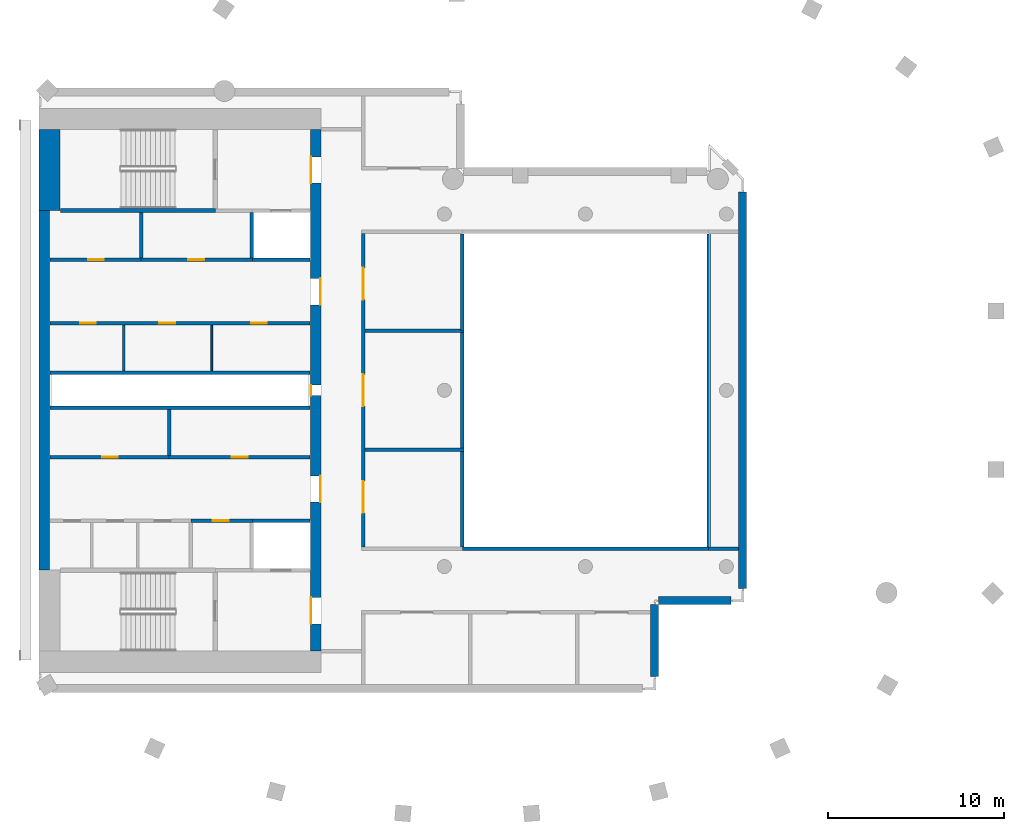
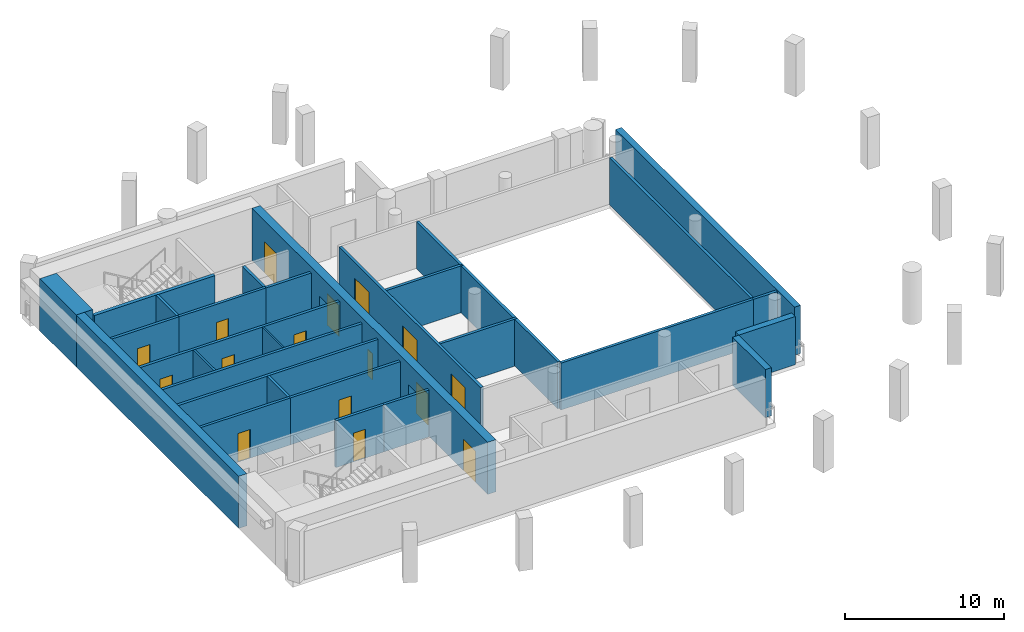
# One storey, part 2 of 9: 31 walls, 16 doors, 16 openings.
"""IFC4 building model written with IfcOpenShell, lengths in metres."""

from ifc_helpers import new_model, si_unit, direction, frame, frame_2d, origin, place, context, subcontext, project, spatial, rectangle, extrude, material, layer, layer_set, type_object, element, fill, save


model = new_model("IFC4")

# Units and contexts
model_context = context("Model", 3, precision=1e-05, world=origin(), true_north=direction((0.0, 1.0)))
body_context = subcontext(model_context, "Body", "Model", "MODEL_VIEW")
ifc_project = project(units=[si_unit("LENGTHUNIT", "METRE"), si_unit("AREAUNIT", "SQUARE_METRE"), si_unit("VOLUMEUNIT", "CUBIC_METRE"), si_unit("PLANEANGLEUNIT", "RADIAN"), si_unit("MASSUNIT", "GRAM", prefix="KILO")], contexts=[model_context])

# Site, building, storey
site_placement = place(None, origin())
site = spatial("IfcSite", under=ifc_project, at=site_placement, CompositionType="ELEMENT")
building_placement = place(site_placement, origin())
building = spatial("IfcBuilding", under=site, at=building_placement, Name="Cypress Arch Tower", CompositionType="ELEMENT")
storey_placement = place(building_placement, frame((0.0, 0.0, 335.0)))
storey = spatial("IfcBuildingStorey", under=building, at=storey_placement, Name="L76", CompositionType="ELEMENT", Elevation=335.0)

# Walls
ifc_material_1 = material(Name="Brick (red buff blend)", Category="masonry")
ifc_layer_1 = layer(ifc_material_1, 0.449951171875)
ifc_layer_set_1 = layer_set([ifc_layer_1], Name="Brick belt wall BW450-B")
wall_type_1 = type_object("IfcWallType", Name="Brick belt wall BW450-B", PredefinedType="SOLIDWALL", material=ifc_layer_set_1)
for number, where, z_axis, x_axis, name in (
    (1, (4.925048828125, -16.25, 0.0), (0.0, 0.0, 1.0), (0.0, 1.0, 0.0), "Brick wall L76 Kh01.0"),
    (2, (5.14990234375, -11.925048828125, 0.0), (0.0, 0.0, 1.0), (1.0, 0.0, 0.0), "Brick wall L76 Kh02.0"),
):
    element("IfcWall", number, at=place(storey_placement, frame(where, z_axis=z_axis, x_axis=x_axis)), inside=storey, type_object=wall_type_1, Name=name, PredefinedType="SOLIDWALL", context=body_context, shape_type="SweptSolid", body=[
        extrude(rectangle(XDim=4.10009765625, YDim=0.449951171875, at=frame_2d((2.050048828125, 0.0))), origin(), (0.0, 0.0, 1.0), 3.699951171875),
    ])
wall_1_placement = place(storey_placement, frame((9.925048828125, -11.25, 0.0), z_axis=(0.0, 0.0, 1.0), x_axis=(0.0, 1.0, 0.0)))
element("IfcWall", 3, at=wall_1_placement, inside=storey, type_object=wall_type_1, Name="Brick wall L76 Kh03.0", PredefinedType="SOLIDWALL", context=body_context, shape_type="SweptSolid", body=[
    extrude(rectangle(XDim=22.4892578125, YDim=0.449951171875, at=frame_2d((11.24462890625, 0.0))), origin(), (0.0, 0.0, 1.0), 3.699951171875),
])
ifc_material_2 = material(Name="Concrete C50/60", Category="concrete")
ifc_layer_2 = layer(ifc_material_2, 1.199951171875)
ifc_layer_set_2 = layer_set([ifc_layer_2], Name="Core wall CW1200 C50/60")
wall_type_2 = type_object("IfcWallType", Name="Core wall CW1200 C50/60", PredefinedType="SHEAR", material=ifc_layer_set_2)
wall_2_placement = place(storey_placement, frame((-29.39990234375, 10.199951171875, 0.0), z_axis=(0.0, 0.0, 1.0), x_axis=(0.0, 1.0, 0.0)))
element("IfcWall", 4, at=wall_2_placement, inside=storey, type_object=wall_type_2, Name="Core wall", PredefinedType="SHEAR", context=body_context, shape_type="SweptSolid", body=[
    extrude(rectangle(XDim=4.60009765625, YDim=1.199951171875, at=frame_2d((2.300048828125, 0.0))), origin(), (0.0, 0.0, 1.0), 4.0),
])

# Wall, openings, doors
ifc_material_3 = material(Name="Concrete C50/60", Category="concrete")
ifc_layer_3 = layer(ifc_material_3, 0.60009765625)
ifc_layer_set_3 = layer_set([ifc_layer_3], Name="Core wall CW600 C50/60")
wall_type_3 = type_object("IfcWallType", Name="Core wall CW600 C50/60", PredefinedType="SHEAR", material=ifc_layer_set_3)
wall_3_placement = place(storey_placement, frame((-14.300048828125, -14.800048828125, 0.0), z_axis=(0.0, 0.0, 1.0), x_axis=(0.0, 1.0, 0.0)))
wall_3 = element("IfcWall", 5, at=wall_3_placement, inside=storey, type_object=wall_type_3, Name="Core wall", PredefinedType="SHEAR", context=body_context, shape_type="SweptSolid", body=[
    extrude(rectangle(XDim=29.60009765625, YDim=0.60009765625, at=frame_2d((14.800048828125, 0.0))), origin(), (0.0, 0.0, 1.0), 4.0),
])
opening_1_placement = place(wall_3_placement, frame((1.550048828125, 0.0, 0.0)))
opening_1 = element("IfcOpeningElement", 6, at=opening_1_placement, cuts=wall_3, Name="Opening D07", PredefinedType="OPENING", context=body_context, shape_type="SweptSolid", body=[
    extrude(rectangle(XDim=1.5, YDim=2.39990234375, at=frame_2d((0.75, 1.199951171875))), frame((0.0, 0.31005859375, 0.0), z_axis=(0.0, -1.0, 0.0), x_axis=(1.0, 0.0, 0.0)), (0.0, 0.0, 1.0), 0.6201171875),
])
opening_2_placement = place(wall_3_placement, frame((26.550048828125, 0.0, 0.0)))
opening_2 = element("IfcOpeningElement", 7, at=opening_2_placement, cuts=wall_3, Name="Opening D07", PredefinedType="OPENING", context=body_context, shape_type="SweptSolid", body=[
    extrude(rectangle(XDim=1.5, YDim=2.39990234375, at=frame_2d((0.75, 1.199951171875))), frame((0.0, 0.31005859375, 0.0), z_axis=(0.0, -1.0, 0.0), x_axis=(1.0, 0.0, 0.0)), (0.0, 0.0, 1.0), 0.6201171875),
])
opening_3_placement = place(wall_3_placement, frame((8.449951171875, 0.0, 0.0)))
opening_3 = element("IfcOpeningElement", 8, at=opening_3_placement, cuts=wall_3, Name="Opening D07", PredefinedType="OPENING", context=body_context, shape_type="SweptSolid", body=[
    extrude(rectangle(XDim=1.5, YDim=2.39990234375, at=frame_2d((0.75, 1.199951171875))), frame((0.0, 0.31005859375, 0.0), z_axis=(0.0, -1.0, 0.0), x_axis=(1.0, 0.0, 0.0)), (0.0, 0.0, 1.0), 0.6201171875),
])
opening_4_placement = place(wall_3_placement, frame((19.64990234375, 0.0, 0.0)))
opening_4 = element("IfcOpeningElement", 9, at=opening_4_placement, cuts=wall_3, Name="Opening D07", PredefinedType="OPENING", context=body_context, shape_type="SweptSolid", body=[
    extrude(rectangle(XDim=1.5, YDim=2.39990234375, at=frame_2d((0.75, 1.199951171875))), frame((0.0, 0.31005859375, 0.0), z_axis=(0.0, -1.0, 0.0), x_axis=(1.0, 0.0, 0.0)), (0.0, 0.0, 1.0), 0.6201171875),
])
opening_5_placement = place(wall_3_placement, frame((14.5, 0.0, 0.0)))
opening_5 = element("IfcOpeningElement", 10, at=opening_5_placement, cuts=wall_3, Name="Opening D08", PredefinedType="OPENING", context=body_context, shape_type="SweptSolid", body=[
    extrude(rectangle(XDim=0.60009765625, YDim=2.0, at=frame_2d((0.300048828125, 1.0))), frame((0.0, 0.31005859375, 0.0), z_axis=(0.0, -1.0, 0.0), x_axis=(1.0, 0.0, 0.0)), (0.0, 0.0, 1.0), 0.6201171875),
])
ifc_material_4 = material(Name="Steel framed glazed door, fire resisting", Category="steel")
door_type_1 = type_object("IfcDoorType", Name="Lobby door D07 1500x2400", OperationType="DOUBLE_DOOR_SINGLE_SWING", PredefinedType="DOOR", material=ifc_material_4)
door_1_placement = place(opening_1_placement, origin())
door_1 = element("IfcDoor", 11, at=door_1_placement, inside=storey, type_object=door_type_1, Name="Lobby door", OperationType="DOUBLE_DOOR_SINGLE_SWING", OverallHeight=2.39990234375, OverallWidth=1.5, PredefinedType="DOOR", context=body_context, shape_type="SweptSolid", body=[
    extrude(rectangle(XDim=1.5, YDim=2.39990234375, at=frame_2d((0.75, 1.199951171875))), frame((0.0, 0.294921875, 0.0), z_axis=(0.0, -1.0, 0.0), x_axis=(1.0, 0.0, 0.0)), (0.0, 0.0, 1.0), 0.050048828125),
])
fill(opening_1, door_1)
door_2_placement = place(opening_2_placement, origin())
door_2 = element("IfcDoor", 12, at=door_2_placement, inside=storey, type_object=door_type_1, Name="Lobby door", OperationType="DOUBLE_DOOR_SINGLE_SWING", OverallHeight=2.39990234375, OverallWidth=1.5, PredefinedType="DOOR", context=body_context, shape_type="SweptSolid", body=[
    extrude(rectangle(XDim=1.5, YDim=2.39990234375, at=frame_2d((0.75, 1.199951171875))), frame((0.0, 0.294921875, 0.0), z_axis=(0.0, -1.0, 0.0), x_axis=(1.0, 0.0, 0.0)), (0.0, 0.0, 1.0), 0.050048828125),
])
fill(opening_2, door_2)
door_3_placement = place(opening_3_placement, origin())
door_3 = element("IfcDoor", 13, at=door_3_placement, inside=storey, type_object=door_type_1, Name="Lobby door", OperationType="DOUBLE_DOOR_SINGLE_SWING", OverallHeight=2.39990234375, OverallWidth=1.5, PredefinedType="DOOR", context=body_context, shape_type="SweptSolid", body=[
    extrude(rectangle(XDim=1.5, YDim=2.39990234375, at=frame_2d((0.75, 1.199951171875))), frame((0.0, -0.2451171875, 0.0), z_axis=(0.0, -1.0, 0.0), x_axis=(1.0, 0.0, 0.0)), (0.0, 0.0, 1.0), 0.050048828125),
])
fill(opening_3, door_3)
door_4_placement = place(opening_4_placement, origin())
door_4 = element("IfcDoor", 14, at=door_4_placement, inside=storey, type_object=door_type_1, Name="Lobby door", OperationType="DOUBLE_DOOR_SINGLE_SWING", OverallHeight=2.39990234375, OverallWidth=1.5, PredefinedType="DOOR", context=body_context, shape_type="SweptSolid", body=[
    extrude(rectangle(XDim=1.5, YDim=2.39990234375, at=frame_2d((0.75, 1.199951171875))), frame((0.0, -0.2451171875, 0.0), z_axis=(0.0, -1.0, 0.0), x_axis=(1.0, 0.0, 0.0)), (0.0, 0.0, 1.0), 0.050048828125),
])
fill(opening_4, door_4)
ifc_material_5 = material(Name="Steel access door, fire resisting", Category="steel")
door_type_2 = type_object("IfcDoorType", Name="Riser access door D08 600x2000", OperationType="SINGLE_SWING_LEFT", PredefinedType="DOOR", material=ifc_material_5)
door_5_placement = place(opening_5_placement, origin())
door_5 = element("IfcDoor", 15, at=door_5_placement, inside=storey, type_object=door_type_2, Name="Riser access door", OperationType="SINGLE_SWING_RIGHT", OverallHeight=2.0, OverallWidth=0.60009765625, PredefinedType="DOOR", context=body_context, shape_type="SweptSolid", body=[
    extrude(rectangle(XDim=0.60009765625, YDim=2.0, at=frame_2d((0.300048828125, 1.0))), frame((0.0, 0.294921875, 0.0), z_axis=(0.0, -1.0, 0.0), x_axis=(1.0, 0.0, 0.0)), (0.0, 0.0, 1.0), 0.050048828125),
])
fill(opening_5, door_5)

# Wall
wall_4_placement = place(storey_placement, frame((-29.699951171875, -10.199951171875, 0.0), z_axis=(0.0, 0.0, 1.0), x_axis=(0.0, 1.0, 0.0)))
element("IfcWall", 16, at=wall_4_placement, inside=storey, type_object=wall_type_3, Name="Core wall", PredefinedType="SHEAR", context=body_context, shape_type="SweptSolid", body=[
    extrude(rectangle(XDim=20.39990234375, YDim=0.60009765625, at=frame_2d((10.199951171875, 0.0))), origin(), (0.0, 0.0, 1.0), 4.0),
])

# Wall, openings, doors
ifc_material_6 = material(Name="Concrete blockwork, plastered, rated", Category="masonry")
ifc_layer_4 = layer(ifc_material_6, 0.199951171875)
ifc_layer_set_4 = layer_set([ifc_layer_4], Name="Corridor wall FW200")
wall_type_4 = type_object("IfcWallType", Name="Corridor wall FW200", PredefinedType="PARTITIONING", material=ifc_layer_set_4)
wall_5_placement = place(storey_placement, frame((-29.3701171875, 3.800048828125, 0.0), z_axis=(0.0, 0.0, 1.0), x_axis=(1.0, 0.0, 0.0)))
wall_5 = element("IfcWall", 17, at=wall_5_placement, inside=storey, type_object=wall_type_4, Name="Corridor wall", PredefinedType="PARTITIONING", context=body_context, shape_type="SweptSolid", body=[
    extrude(rectangle(XDim=14.740234375, YDim=0.199951171875, at=frame_2d((7.3701171875, 0.0))), origin(), (0.0, 0.0, 1.0), 3.597900390625),
])
opening_6_placement = place(wall_5_placement, frame((1.699951171875, 0.0, 0.0)))
opening_6 = element("IfcOpeningElement", 18, at=opening_6_placement, cuts=wall_5, Name="Opening D05", PredefinedType="OPENING", context=body_context, shape_type="SweptSolid", body=[
    extrude(rectangle(XDim=0.89990234375, YDim=2.199951171875, at=frame_2d((0.449951171875, 1.10009765625))), frame((0.0, 0.10986328125, 0.0), z_axis=(0.0, -1.0, 0.0), x_axis=(1.0, 0.0, 0.0)), (0.0, 0.0, 1.0), 0.219970703125),
])
opening_7_placement = place(wall_5_placement, frame((6.199951171875, 0.0, 0.0)))
opening_7 = element("IfcOpeningElement", 19, at=opening_7_placement, cuts=wall_5, Name="Opening D05", PredefinedType="OPENING", context=body_context, shape_type="SweptSolid", body=[
    extrude(rectangle(XDim=0.89990234375, YDim=2.199951171875, at=frame_2d((0.449951171875, 1.10009765625))), frame((0.0, 0.10986328125, 0.0), z_axis=(0.0, -1.0, 0.0), x_axis=(1.0, 0.0, 0.0)), (0.0, 0.0, 1.0), 0.219970703125),
])
opening_8_placement = place(wall_5_placement, frame((11.39990234375, 0.0, 0.0)))
opening_8 = element("IfcOpeningElement", 20, at=opening_8_placement, cuts=wall_5, Name="Opening D05", PredefinedType="OPENING", context=body_context, shape_type="SweptSolid", body=[
    extrude(rectangle(XDim=0.89990234375, YDim=2.199951171875, at=frame_2d((0.449951171875, 1.10009765625))), frame((0.0, 0.10986328125, 0.0), z_axis=(0.0, -1.0, 0.0), x_axis=(1.0, 0.0, 0.0)), (0.0, 0.0, 1.0), 0.219970703125),
])
ifc_material_7 = material(Name="Timber flush door", Category="wood")
door_type_3 = type_object("IfcDoorType", Name="Service door D05 900x2200", OperationType="SINGLE_SWING_LEFT", PredefinedType="DOOR", material=ifc_material_7)
door_6_placement = place(opening_6_placement, origin())
door_6 = element("IfcDoor", 21, at=door_6_placement, inside=storey, type_object=door_type_3, Name="Service door", OperationType="SINGLE_SWING_LEFT", OverallHeight=2.199951171875, OverallWidth=0.89990234375, PredefinedType="DOOR", context=body_context, shape_type="SweptSolid", body=[
    extrude(rectangle(XDim=0.89990234375, YDim=2.199951171875, at=frame_2d((0.449951171875, 1.10009765625))), frame((0.0, 0.02490234375, 0.0), z_axis=(0.0, -1.0, 0.0), x_axis=(1.0, 0.0, 0.0)), (0.0, 0.0, 1.0), 0.050048828125),
])
fill(opening_6, door_6)
door_7_placement = place(opening_7_placement, origin())
door_7 = element("IfcDoor", 22, at=door_7_placement, inside=storey, type_object=door_type_3, Name="Service door", OperationType="SINGLE_SWING_RIGHT", OverallHeight=2.199951171875, OverallWidth=0.89990234375, PredefinedType="DOOR", context=body_context, shape_type="SweptSolid", body=[
    extrude(rectangle(XDim=0.89990234375, YDim=2.199951171875, at=frame_2d((0.449951171875, 1.10009765625))), frame((0.0, 0.02490234375, 0.0), z_axis=(0.0, -1.0, 0.0), x_axis=(1.0, 0.0, 0.0)), (0.0, 0.0, 1.0), 0.050048828125),
])
fill(opening_7, door_7)
door_8_placement = place(opening_8_placement, origin())
door_8 = element("IfcDoor", 23, at=door_8_placement, inside=storey, type_object=door_type_3, Name="Service door", OperationType="SINGLE_SWING_RIGHT", OverallHeight=2.199951171875, OverallWidth=0.89990234375, PredefinedType="DOOR", context=body_context, shape_type="SweptSolid", body=[
    extrude(rectangle(XDim=0.89990234375, YDim=2.199951171875, at=frame_2d((0.449951171875, 1.10009765625))), frame((0.0, 0.02490234375, 0.0), z_axis=(0.0, -1.0, 0.0), x_axis=(1.0, 0.0, 0.0)), (0.0, 0.0, 1.0), 0.050048828125),
])
fill(opening_8, door_8)

# Wall, opening, door
wall_6_placement = place(storey_placement, frame((-24.219970703125, 7.39990234375, 0.0), z_axis=(0.0, 0.0, 1.0), x_axis=(1.0, 0.0, 0.0)))
wall_6 = element("IfcWall", 24, at=wall_6_placement, inside=storey, type_object=wall_type_4, Name="Corridor wall", PredefinedType="PARTITIONING", context=body_context, shape_type="SweptSolid", body=[
    extrude(rectangle(XDim=6.320068359375, YDim=0.199951171875, at=frame_2d((3.16015625, 0.0))), origin(), (0.0, 0.0, 1.0), 3.597900390625),
])
opening_9_placement = place(wall_6_placement, frame((2.699951171875, 0.0, 0.0)))
opening_9 = element("IfcOpeningElement", 25, at=opening_9_placement, cuts=wall_6, Name="Opening D05", PredefinedType="OPENING", context=body_context, shape_type="SweptSolid", body=[
    extrude(rectangle(XDim=0.89990234375, YDim=2.199951171875, at=frame_2d((0.449951171875, 1.10009765625))), frame((0.0, 0.10986328125, 0.0), z_axis=(0.0, -1.0, 0.0), x_axis=(1.0, 0.0, 0.0)), (0.0, 0.0, 1.0), 0.219970703125),
])
door_9_placement = place(opening_9_placement, origin())
door_9 = element("IfcDoor", 26, at=door_9_placement, inside=storey, type_object=door_type_3, Name="Service door", OperationType="SINGLE_SWING_LEFT", OverallHeight=2.199951171875, OverallWidth=0.89990234375, PredefinedType="DOOR", context=body_context, shape_type="SweptSolid", body=[
    extrude(rectangle(XDim=0.89990234375, YDim=2.199951171875, at=frame_2d((0.449951171875, 1.10009765625))), frame((0.0, 0.02490234375, 0.0), z_axis=(0.0, -1.0, 0.0), x_axis=(1.0, 0.0, 0.0)), (0.0, 0.0, 1.0), 0.050048828125),
])
fill(opening_9, door_9)

wall_7_placement = place(storey_placement, frame((-22.6201171875, -3.800048828125, 0.0), z_axis=(0.0, 0.0, 1.0), x_axis=(1.0, 0.0, 0.0)))
wall_7 = element("IfcWall", 27, at=wall_7_placement, inside=storey, type_object=wall_type_4, Name="Corridor wall", PredefinedType="PARTITIONING", context=body_context, shape_type="SweptSolid", body=[
    extrude(rectangle(XDim=7.990234375, YDim=0.199951171875, at=frame_2d((3.9951171875, 0.0))), origin(), (0.0, 0.0, 1.0), 3.597900390625),
])
opening_10_placement = place(wall_7_placement, frame((3.550048828125, 0.0, 0.0)))
opening_10 = element("IfcOpeningElement", 28, at=opening_10_placement, cuts=wall_7, Name="Opening D05", PredefinedType="OPENING", context=body_context, shape_type="SweptSolid", body=[
    extrude(rectangle(XDim=0.89990234375, YDim=2.199951171875, at=frame_2d((0.449951171875, 1.10009765625))), frame((0.0, 0.10986328125, 0.0), z_axis=(0.0, -1.0, 0.0), x_axis=(1.0, 0.0, 0.0)), (0.0, 0.0, 1.0), 0.219970703125),
])
door_10_placement = place(opening_10_placement, origin())
door_10 = element("IfcDoor", 29, at=door_10_placement, inside=storey, type_object=door_type_3, Name="Service door", OperationType="SINGLE_SWING_RIGHT", OverallHeight=2.199951171875, OverallWidth=0.89990234375, PredefinedType="DOOR", context=body_context, shape_type="SweptSolid", body=[
    extrude(rectangle(XDim=0.89990234375, YDim=2.199951171875, at=frame_2d((0.449951171875, 1.10009765625))), frame((0.0, 0.02490234375, 0.0), z_axis=(0.0, -1.0, 0.0), x_axis=(1.0, 0.0, 0.0)), (0.0, 0.0, 1.0), 0.050048828125),
])
fill(opening_10, door_10)

# Walls
wall_8_placement = place(storey_placement, frame((-5.97998046875, -9.0, 0.0), z_axis=(0.0, 0.0, 1.0), x_axis=(1.0, 0.0, 0.0)))
element("IfcWall", 30, at=wall_8_placement, inside=storey, type_object=wall_type_4, Name="Corridor wall", PredefinedType="PARTITIONING", context=body_context, shape_type="SweptSolid", body=[
    extrude(rectangle(XDim=13.9599609375, YDim=0.199951171875, at=frame_2d((6.97998046875, 0.0))), origin(), (0.0, 0.0, 1.0), 3.597900390625),
])
ifc_material_8 = material(Name="Blockwork, plastered both sides", Category="masonry")
ifc_layer_5 = layer(ifc_material_8, 0.14990234375)
ifc_layer_set_5 = layer_set([ifc_layer_5], Name="Partition PW150")
wall_type_5 = type_object("IfcWallType", Name="Partition PW150", PredefinedType="PARTITIONING", material=ifc_layer_set_5)
wall_9_placement = place(storey_placement, frame((-25.199951171875, 1.10009765625, 0.0), z_axis=(0.0, 0.0, 1.0), x_axis=(0.0, 1.0, 0.0)))
element("IfcWall", 31, at=wall_9_placement, inside=storey, type_object=wall_type_5, Name="Partition", PredefinedType="PARTITIONING", context=body_context, shape_type="SweptSolid", body=[
    extrude(rectangle(XDim=2.599853515625, YDim=0.14990234375, at=frame_2d((1.2998046875, 0.0))), origin(), (0.0, 0.0, 1.0), 3.597900390625),
])

# Wall, opening, door
ifc_material_9 = material(Name="Reinforced blockwork, plastered, rated", Category="masonry")
ifc_layer_6 = layer(ifc_material_9, 0.199951171875)
ifc_layer_set_6 = layer_set([ifc_layer_6], Name="Plant and riser wall PL200")
wall_type_6 = type_object("IfcWallType", Name="Plant and riser wall PL200", PredefinedType="PARTITIONING", material=ifc_layer_set_6)
wall_10_placement = place(storey_placement, frame((-29.3701171875, -3.800048828125, 0.0), z_axis=(0.0, 0.0, 1.0), x_axis=(1.0, 0.0, 0.0)))
wall_10 = element("IfcWall", 32, at=wall_10_placement, inside=storey, type_object=wall_type_6, Name="Plant and riser wall", PredefinedType="PARTITIONING", context=body_context, shape_type="SweptSolid", body=[
    extrude(rectangle(XDim=6.75, YDim=0.199951171875, at=frame_2d((3.375, 0.0))), origin(), (0.0, 0.0, 1.0), 3.597900390625),
])
opening_11_placement = place(wall_10_placement, frame((2.949951171875, 0.0, 0.0)))
opening_11 = element("IfcOpeningElement", 33, at=opening_11_placement, cuts=wall_10, Name="Opening D05", PredefinedType="OPENING", context=body_context, shape_type="SweptSolid", body=[
    extrude(rectangle(XDim=0.89990234375, YDim=2.199951171875, at=frame_2d((0.449951171875, 1.10009765625))), frame((0.0, 0.10986328125, 0.0), z_axis=(0.0, -1.0, 0.0), x_axis=(1.0, 0.0, 0.0)), (0.0, 0.0, 1.0), 0.219970703125),
])
door_11_placement = place(opening_11_placement, origin())
door_11 = element("IfcDoor", 34, at=door_11_placement, inside=storey, type_object=door_type_3, Name="Service door", OperationType="SINGLE_SWING_RIGHT", OverallHeight=2.199951171875, OverallWidth=0.89990234375, PredefinedType="DOOR", context=body_context, shape_type="SweptSolid", body=[
    extrude(rectangle(XDim=0.89990234375, YDim=2.199951171875, at=frame_2d((0.449951171875, 1.10009765625))), frame((0.0, 0.02490234375, 0.0), z_axis=(0.0, -1.0, 0.0), x_axis=(1.0, 0.0, 0.0)), (0.0, 0.0, 1.0), 0.050048828125),
])
fill(opening_11, door_11)

# Walls
for number, where, z_axis, x_axis, name in (
    (35, (-29.3701171875, -1.0, 0.0), (0.0, 0.0, 1.0), (1.0, 0.0, 0.0), "Plant and riser wall"),
    (36, (-29.3701171875, 1.0, 0.0), (0.0, 0.0, 1.0), (1.0, 0.0, 0.0), "Plant and riser wall"),
):
    element("IfcWall", number, at=place(storey_placement, frame(where, z_axis=z_axis, x_axis=x_axis)), inside=storey, type_object=wall_type_6, Name=name, PredefinedType="PARTITIONING", context=body_context, shape_type="SweptSolid", body=[
        extrude(rectangle(XDim=14.740234375, YDim=0.199951171875, at=frame_2d((7.3701171875, 0.0))), origin(), (0.0, 0.0, 1.0), 3.597900390625),
    ])

# Wall, opening, door
wall_11_placement = place(storey_placement, frame((-29.3701171875, 7.39990234375, 0.0), z_axis=(0.0, 0.0, 1.0), x_axis=(1.0, 0.0, 0.0)))
wall_11 = element("IfcWall", 37, at=wall_11_placement, inside=storey, type_object=wall_type_6, Name="Plant and riser wall", PredefinedType="PARTITIONING", context=body_context, shape_type="SweptSolid", body=[
    extrude(rectangle(XDim=5.150146484375, YDim=0.199951171875, at=frame_2d((2.5751953125, 0.0))), origin(), (0.0, 0.0, 1.0), 3.597900390625),
])
opening_12_placement = place(wall_11_placement, frame((2.14990234375, 0.0, 0.0)))
opening_12 = element("IfcOpeningElement", 38, at=opening_12_placement, cuts=wall_11, Name="Opening D05", PredefinedType="OPENING", context=body_context, shape_type="SweptSolid", body=[
    extrude(rectangle(XDim=0.89990234375, YDim=2.199951171875, at=frame_2d((0.449951171875, 1.10009765625))), frame((0.0, 0.10986328125, 0.0), z_axis=(0.0, -1.0, 0.0), x_axis=(1.0, 0.0, 0.0)), (0.0, 0.0, 1.0), 0.219970703125),
])
door_12_placement = place(opening_12_placement, origin())
door_12 = element("IfcDoor", 39, at=door_12_placement, inside=storey, type_object=door_type_3, Name="Service door", OperationType="SINGLE_SWING_RIGHT", OverallHeight=2.199951171875, OverallWidth=0.89990234375, PredefinedType="DOOR", context=body_context, shape_type="SweptSolid", body=[
    extrude(rectangle(XDim=0.89990234375, YDim=2.199951171875, at=frame_2d((0.449951171875, 1.10009765625))), frame((0.0, 0.02490234375, 0.0), z_axis=(0.0, -1.0, 0.0), x_axis=(1.0, 0.0, 0.0)), (0.0, 0.0, 1.0), 0.050048828125),
])
fill(opening_12, door_12)

# Walls
wall_12_placement = place(storey_placement, frame((-24.199951171875, 7.5, 0.0), z_axis=(0.0, 0.0, 1.0), x_axis=(0.0, 1.0, 0.0)))
element("IfcWall", 40, at=wall_12_placement, inside=storey, type_object=wall_type_6, Name="Plant and riser wall", PredefinedType="PARTITIONING", context=body_context, shape_type="SweptSolid", body=[
    extrude(rectangle(XDim=2.574951171875, YDim=0.199951171875, at=frame_2d((1.28759765625, 0.0))), origin(), (0.0, 0.0, 1.0), 3.597900390625),
])
wall_13_placement = place(storey_placement, frame((-22.60009765625, -3.699951171875, 0.0), z_axis=(0.0, 0.0, 1.0), x_axis=(0.0, 1.0, 0.0)))
element("IfcWall", 41, at=wall_13_placement, inside=storey, type_object=wall_type_6, Name="Plant and riser wall", PredefinedType="PARTITIONING", context=body_context, shape_type="SweptSolid", body=[
    extrude(rectangle(XDim=2.599853515625, YDim=0.199951171875, at=frame_2d((1.2998046875, 0.0))), origin(), (0.0, 0.0, 1.0), 3.597900390625),
])

# Wall, opening, door
wall_14_placement = place(storey_placement, frame((-21.3798828125, -7.39990234375, 0.0), z_axis=(0.0, 0.0, 1.0), x_axis=(1.0, 0.0, 0.0)))
wall_14 = element("IfcWall", 42, at=wall_14_placement, inside=storey, type_object=wall_type_6, Name="Plant and riser wall", PredefinedType="PARTITIONING", context=body_context, shape_type="SweptSolid", body=[
    extrude(rectangle(XDim=3.47998046875, YDim=0.199951171875, at=frame_2d((1.739990234375, 0.0))), origin(), (0.0, 0.0, 1.0), 3.597900390625),
])
opening_13_placement = place(wall_14_placement, frame((1.25, 0.0, 0.0)))
opening_13 = element("IfcOpeningElement", 43, at=opening_13_placement, cuts=wall_14, Name="Opening D05", PredefinedType="OPENING", context=body_context, shape_type="SweptSolid", body=[
    extrude(rectangle(XDim=0.89990234375, YDim=2.199951171875, at=frame_2d((0.449951171875, 1.10009765625))), frame((0.0, 0.10986328125, 0.0), z_axis=(0.0, -1.0, 0.0), x_axis=(1.0, 0.0, 0.0)), (0.0, 0.0, 1.0), 0.219970703125),
])
door_13_placement = place(opening_13_placement, origin())
door_13 = element("IfcDoor", 44, at=door_13_placement, inside=storey, type_object=door_type_3, Name="Service door", OperationType="SINGLE_SWING_RIGHT", OverallHeight=2.199951171875, OverallWidth=0.89990234375, PredefinedType="DOOR", context=body_context, shape_type="SweptSolid", body=[
    extrude(rectangle(XDim=0.89990234375, YDim=2.199951171875, at=frame_2d((0.449951171875, 1.10009765625))), frame((0.0, 0.02490234375, 0.0), z_axis=(0.0, -1.0, 0.0), x_axis=(1.0, 0.0, 0.0)), (0.0, 0.0, 1.0), 0.050048828125),
])
fill(opening_13, door_13)

# Wall, openings, doors
wall_15_placement = place(storey_placement, frame((-11.60009765625, -8.89892578125, 0.0), z_axis=(0.0, 0.0, 1.0), x_axis=(0.0, 1.0, 0.0)))
wall_15 = element("IfcWall", 45, at=wall_15_placement, inside=storey, type_object=wall_type_6, Name="Plant and riser wall", PredefinedType="PARTITIONING", context=body_context, shape_type="SweptSolid", body=[
    extrude(rectangle(XDim=17.7978515625, YDim=0.199951171875, at=frame_2d((8.89892578125, 0.0))), origin(), (0.0, 0.0, 1.0), 3.597900390625),
])
opening_14_placement = place(wall_15_placement, frame((1.949951171875, 0.0, 0.0)))
opening_14 = element("IfcOpeningElement", 46, at=opening_14_placement, cuts=wall_15, Name="Opening D09", PredefinedType="OPENING", context=body_context, shape_type="SweptSolid", body=[
    extrude(rectangle(XDim=1.800048828125, YDim=2.39990234375, at=frame_2d((0.89990234375, 1.199951171875))), frame((0.0, 0.10986328125, 0.0), z_axis=(0.0, -1.0, 0.0), x_axis=(1.0, 0.0, 0.0)), (0.0, 0.0, 1.0), 0.219970703125),
])
opening_15_placement = place(wall_15_placement, frame((8.0, 0.0, 0.0)))
opening_15 = element("IfcOpeningElement", 47, at=opening_15_placement, cuts=wall_15, Name="Opening D09", PredefinedType="OPENING", context=body_context, shape_type="SweptSolid", body=[
    extrude(rectangle(XDim=1.800048828125, YDim=2.39990234375, at=frame_2d((0.89990234375, 1.199951171875))), frame((0.0, 0.10986328125, 0.0), z_axis=(0.0, -1.0, 0.0), x_axis=(1.0, 0.0, 0.0)), (0.0, 0.0, 1.0), 0.219970703125),
])
opening_16_placement = place(wall_15_placement, frame((14.050048828125, 0.0, 0.0)))
opening_16 = element("IfcOpeningElement", 48, at=opening_16_placement, cuts=wall_15, Name="Opening D09", PredefinedType="OPENING", context=body_context, shape_type="SweptSolid", body=[
    extrude(rectangle(XDim=1.800048828125, YDim=2.39990234375, at=frame_2d((0.89990234375, 1.199951171875))), frame((0.0, 0.10986328125, 0.0), z_axis=(0.0, -1.0, 0.0), x_axis=(1.0, 0.0, 0.0)), (0.0, 0.0, 1.0), 0.219970703125),
])
ifc_material_10 = material(Name="Steel door, fire resisting", Category="steel")
door_type_4 = type_object("IfcDoorType", Name="Plant room door D09 1800x2400", OperationType="DOUBLE_DOOR_SINGLE_SWING", PredefinedType="DOOR", material=ifc_material_10)
door_14_placement = place(opening_14_placement, origin())
door_14 = element("IfcDoor", 49, at=door_14_placement, inside=storey, type_object=door_type_4, Name="Plant room door", OperationType="DOUBLE_DOOR_SINGLE_SWING", OverallHeight=2.39990234375, OverallWidth=1.800048828125, PredefinedType="DOOR", context=body_context, shape_type="SweptSolid", body=[
    extrude(rectangle(XDim=1.800048828125, YDim=2.39990234375, at=frame_2d((0.89990234375, 1.199951171875))), frame((0.0, 0.02490234375, 0.0), z_axis=(0.0, -1.0, 0.0), x_axis=(1.0, 0.0, 0.0)), (0.0, 0.0, 1.0), 0.050048828125),
])
fill(opening_14, door_14)
door_15_placement = place(opening_15_placement, origin())
door_15 = element("IfcDoor", 50, at=door_15_placement, inside=storey, type_object=door_type_4, Name="Plant room door", OperationType="DOUBLE_DOOR_SINGLE_SWING", OverallHeight=2.39990234375, OverallWidth=1.800048828125, PredefinedType="DOOR", context=body_context, shape_type="SweptSolid", body=[
    extrude(rectangle(XDim=1.800048828125, YDim=2.39990234375, at=frame_2d((0.89990234375, 1.199951171875))), frame((0.0, 0.02490234375, 0.0), z_axis=(0.0, -1.0, 0.0), x_axis=(1.0, 0.0, 0.0)), (0.0, 0.0, 1.0), 0.050048828125),
])
fill(opening_15, door_15)
door_16_placement = place(opening_16_placement, origin())
door_16 = element("IfcDoor", 51, at=door_16_placement, inside=storey, type_object=door_type_4, Name="Plant room door", OperationType="DOUBLE_DOOR_SINGLE_SWING", OverallHeight=2.39990234375, OverallWidth=1.800048828125, PredefinedType="DOOR", context=body_context, shape_type="SweptSolid", body=[
    extrude(rectangle(XDim=1.800048828125, YDim=2.39990234375, at=frame_2d((0.89990234375, 1.199951171875))), frame((0.0, 0.02490234375, 0.0), z_axis=(0.0, -1.0, 0.0), x_axis=(1.0, 0.0, 0.0)), (0.0, 0.0, 1.0), 0.050048828125),
])
fill(opening_16, door_16)

# Walls
for number, where, z_axis, x_axis, name in (
    (52, (-11.5, -3.375, 0.0), (0.0, 0.0, 1.0), (1.0, 0.0, 0.0), "Plant and riser wall"),
    (53, (-11.5, 3.375, 0.0), (0.0, 0.0, 1.0), (1.0, 0.0, 0.0), "Plant and riser wall"),
):
    element("IfcWall", number, at=place(storey_placement, frame(where, z_axis=z_axis, x_axis=x_axis)), inside=storey, type_object=wall_type_6, Name=name, PredefinedType="PARTITIONING", context=body_context, shape_type="SweptSolid", body=[
        extrude(rectangle(XDim=5.60009765625, YDim=0.199951171875, at=frame_2d((2.800048828125, 0.0))), origin(), (0.0, 0.0, 1.0), 3.597900390625),
    ])
wall_16_placement = place(storey_placement, frame((-6.0, -8.8798828125, 0.0), z_axis=(0.0, 0.0, 1.0), x_axis=(0.0, 1.0, 0.0)))
element("IfcWall", 54, at=wall_16_placement, inside=storey, type_object=wall_type_6, Name="Plant and riser wall", PredefinedType="PARTITIONING", context=body_context, shape_type="SweptSolid", body=[
    extrude(rectangle(XDim=5.40478515625, YDim=0.199951171875, at=frame_2d((2.702392578125, 0.0))), origin(), (0.0, 0.0, 1.0), 3.597900390625),
])
wall_17_placement = place(storey_placement, frame((-6.0, -3.35498046875, 0.0), z_axis=(0.0, 0.0, 1.0), x_axis=(0.0, 1.0, 0.0)))
element("IfcWall", 55, at=wall_17_placement, inside=storey, type_object=wall_type_6, Name="Plant and riser wall", PredefinedType="PARTITIONING", context=body_context, shape_type="SweptSolid", body=[
    extrude(rectangle(XDim=6.6298828125, YDim=0.199951171875, at=frame_2d((3.31494140625, 0.0))), origin(), (0.0, 0.0, 1.0), 3.597900390625),
])
wall_18_placement = place(storey_placement, frame((-6.0, 3.39501953125, 0.0), z_axis=(0.0, 0.0, 1.0), x_axis=(0.0, 1.0, 0.0)))
element("IfcWall", 56, at=wall_18_placement, inside=storey, type_object=wall_type_6, Name="Plant and riser wall", PredefinedType="PARTITIONING", context=body_context, shape_type="SweptSolid", body=[
    extrude(rectangle(XDim=5.48486328125, YDim=0.199951171875, at=frame_2d((2.742431640625, 0.0))), origin(), (0.0, 0.0, 1.0), 3.597900390625),
])
wall_19_placement = place(storey_placement, frame((7.97998046875, -9.0, 0.0), z_axis=(0.0, 0.0, 1.0), x_axis=(1.0, 0.0, 0.0)))
element("IfcWall", 57, at=wall_19_placement, inside=storey, type_object=wall_type_6, Name="Plant and riser wall", PredefinedType="PARTITIONING", context=body_context, shape_type="SweptSolid", body=[
    extrude(rectangle(XDim=1.719970703125, YDim=0.199951171875, at=frame_2d((0.85986328125, 0.0))), origin(), (0.0, 0.0, 1.0), 3.597900390625),
])
wall_20_placement = place(storey_placement, frame((8.0, -8.8798828125, 0.0), z_axis=(0.0, 0.0, 1.0), x_axis=(0.0, 1.0, 0.0)))
element("IfcWall", 58, at=wall_20_placement, inside=storey, type_object=wall_type_6, Name="Plant and riser wall", PredefinedType="PARTITIONING", context=body_context, shape_type="SweptSolid", body=[
    extrude(rectangle(XDim=17.759765625, YDim=0.199951171875, at=frame_2d((8.8798828125, 0.0))), origin(), (0.0, 0.0, 1.0), 3.597900390625),
])
ifc_material_11 = material(Name="Concrete C50/60", Category="concrete")
ifc_layer_7 = layer(ifc_material_11, 0.199951171875)
ifc_layer_set_7 = layer_set([ifc_layer_7], Name="Shaft wall SH200")
wall_type_7 = type_object("IfcWallType", Name="Shaft wall SH200", PredefinedType="SHEAR", material=ifc_layer_set_7)
wall_21_placement = place(storey_placement, frame((-17.89990234375, -7.39990234375, 0.0), z_axis=(0.0, 0.0, 1.0), x_axis=(1.0, 0.0, 0.0)))
element("IfcWall", 59, at=wall_21_placement, inside=storey, type_object=wall_type_7, Name="Shaft wall", PredefinedType="SHEAR", context=body_context, shape_type="SweptSolid", body=[
    extrude(rectangle(XDim=3.27001953125, YDim=0.199951171875, at=frame_2d((1.635009765625, 0.0))), origin(), (0.0, 0.0, 1.0), 3.597900390625),
])
wall_22_placement = place(storey_placement, frame((-17.919921875, 7.5, 0.0), z_axis=(0.0, 0.0, 1.0), x_axis=(0.0, 1.0, 0.0)))
element("IfcWall", 60, at=wall_22_placement, inside=storey, type_object=wall_type_7, Name="Shaft wall", PredefinedType="SHEAR", context=body_context, shape_type="SweptSolid", body=[
    extrude(rectangle(XDim=2.60009765625, YDim=0.199951171875, at=frame_2d((1.300048828125, 0.0))), origin(), (0.0, 0.0, 1.0), 3.597900390625),
])
wall_23_placement = place(storey_placement, frame((-17.89990234375, 7.39990234375, 0.0), z_axis=(0.0, 0.0, 1.0), x_axis=(1.0, 0.0, 0.0)))
element("IfcWall", 61, at=wall_23_placement, inside=storey, type_object=wall_type_7, Name="Shaft wall", PredefinedType="SHEAR", context=body_context, shape_type="SweptSolid", body=[
    extrude(rectangle(XDim=3.27001953125, YDim=0.199951171875, at=frame_2d((1.635009765625, 0.0))), origin(), (0.0, 0.0, 1.0), 3.597900390625),
])
ifc_material_12 = material(Name="Concrete C50/60", Category="concrete")
ifc_layer_8 = layer(ifc_material_12, 0.25)
ifc_layer_set_8 = layer_set([ifc_layer_8], Name="Stair enclosure wall SW250")
wall_type_8 = type_object("IfcWallType", Name="Stair enclosure wall SW250", PredefinedType="SHEAR", material=ifc_layer_set_8)
wall_24_placement = place(storey_placement, frame((-28.77001953125, 10.199951171875, 0.0), z_axis=(0.0, 0.0, 1.0), x_axis=(1.0, 0.0, 0.0)))
element("IfcWall", 62, at=wall_24_placement, inside=storey, type_object=wall_type_8, Name="Stair enclosure wall", PredefinedType="SHEAR", context=body_context, shape_type="SweptSolid", body=[
    extrude(rectangle(XDim=8.77001953125, YDim=0.25, at=frame_2d((4.385009765625, 0.0))), origin(), (0.0, 0.0, 1.0), 3.597900390625),
])
ifc_material_13 = material(Name="Moisture resistant board on steel studs, tiled", Category="steel")
ifc_layer_9 = layer(ifc_material_13, 0.10009765625)
ifc_layer_set_9 = layer_set([ifc_layer_9], Name="Wet wall PW100")
wall_type_9 = type_object("IfcWallType", Name="Wet wall PW100", PredefinedType="PARTITIONING", material=ifc_layer_set_9)
wall_25_placement = place(storey_placement, frame((-20.199951171875, 1.10009765625, 0.0), z_axis=(0.0, 0.0, 1.0), x_axis=(0.0, 1.0, 0.0)))
element("IfcWall", 63, at=wall_25_placement, inside=storey, type_object=wall_type_9, Name="Wet wall", PredefinedType="PARTITIONING", context=body_context, shape_type="SweptSolid", body=[
    extrude(rectangle(XDim=2.599853515625, YDim=0.10009765625, at=frame_2d((1.2998046875, 0.0))), origin(), (0.0, 0.0, 1.0), 3.597900390625),
])

save(model, "model.ifc")
